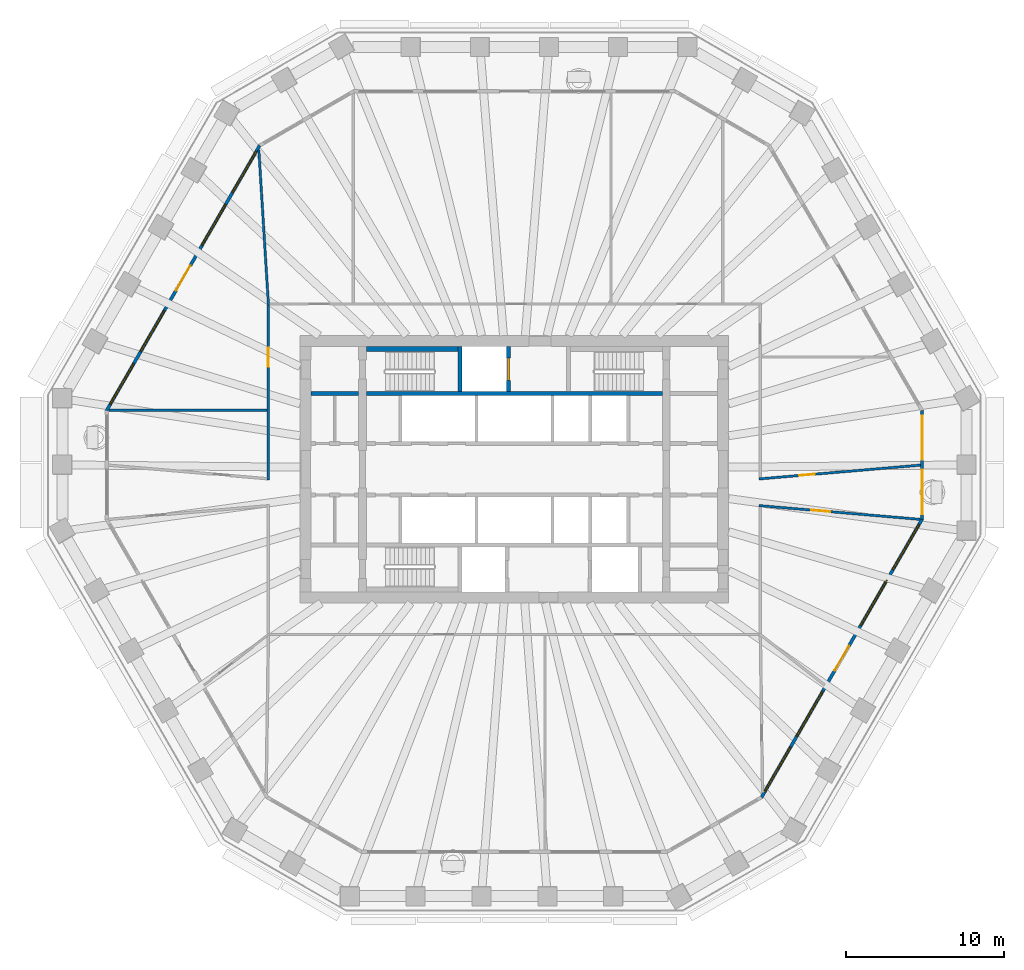
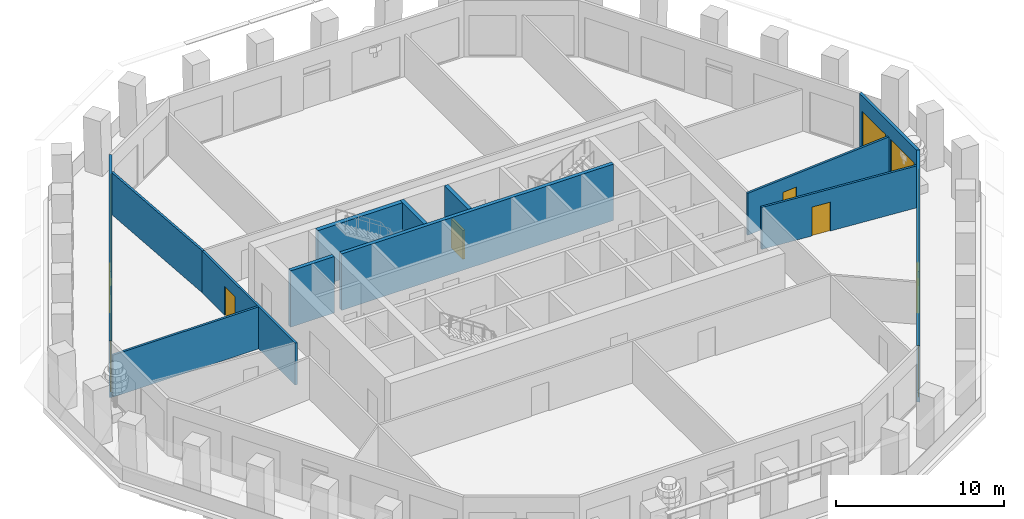
# One storey, part 6 of 12: 13 walls, 12 windows, 6 doors, 18 openings.
"""IFC4 building model written with IfcOpenShell, lengths in metres."""

from ifc_helpers import new_model, si_unit, direction, frame, frame_2d, origin, place, context, subcontext, project, spatial, polyline, rectangle, outline, extrude, material, layer, layer_set, type_object, element, fill, save


model = new_model("IFC4")

# Units and contexts
model_context = context("Model", 3, precision=1e-05, world=origin(), true_north=direction((0.0, 1.0)))
body_context = subcontext(model_context, "Body", "Model", "MODEL_VIEW")
ifc_project = project(units=[si_unit("LENGTHUNIT", "METRE"), si_unit("AREAUNIT", "SQUARE_METRE"), si_unit("VOLUMEUNIT", "CUBIC_METRE"), si_unit("PLANEANGLEUNIT", "RADIAN"), si_unit("MASSUNIT", "GRAM", prefix="KILO")], contexts=[model_context])

# Site, building, storey
site_placement = place(None, origin())
site = spatial("IfcSite", under=ifc_project, at=site_placement, CompositionType="ELEMENT")
building_placement = place(site_placement, origin())
building = spatial("IfcBuilding", under=site, at=building_placement, Name="Frailejon Research Tower", CompositionType="ELEMENT")
storey_placement = place(building_placement, frame((0.0, 0.0, 154.0)))
storey = spatial("IfcBuildingStorey", under=building, at=storey_placement, Name="L33", CompositionType="ELEMENT", Elevation=154.0)

# Wall, opening, door
ifc_material_1 = material(Name="Gypsum board and masonry partition", Category="masonry")
ifc_layer_1 = layer(ifc_material_1, 0.14990234375)
ifc_layer_set_1 = layer_set([ifc_layer_1], Name="Corridor wall EI 60, gypsum on steel studs 150")
wall_type_1 = type_object("IfcWallType", Name="Corridor wall EI 60, gypsum on steel studs 150", PredefinedType="PARTITIONING", material=ifc_layer_set_1)
wall_1_placement = place(storey_placement, frame((-15.550048828125, -0.680419921875, 0.0), z_axis=(0.0, 0.0, 1.0), x_axis=(0.0, 1.0, 0.0)))
wall_1 = element("IfcWall", 1, at=wall_1_placement, inside=storey, type_object=wall_type_1, Name="T:IW:L33:007", PredefinedType="PARTITIONING", context=body_context, shape_type="SweptSolid", body=[
    extrude(rectangle(XDim=11.055419921875, YDim=0.14990234375, at=frame_2d((5.52783203125, 0.0))), origin(), (0.0, 0.0, 1.0), 3.050048828125),
])
opening_1_placement = place(wall_1_placement, frame((7.17578125, 0.0, 0.0)))
opening_1 = element("IfcOpeningElement", 2, at=opening_1_placement, cuts=wall_1, Name="Opening D1726", PredefinedType="OPENING", context=body_context, shape_type="SweptSolid", body=[
    extrude(rectangle(XDim=1.199951171875, YDim=2.10009765625, at=frame_2d((0.60009765625, 1.050048828125))), frame((0.0, 0.0849609375, 0.0), z_axis=(0.0, -1.0, 0.0), x_axis=(1.0, 0.0, 0.0)), (0.0, 0.0, 1.0), 0.169921875),
])
ifc_material_2 = material(Name="Timber door leaf", Category="wood")
door_type_1 = type_object("IfcDoorType", Name="Door laboratory, timber, vision panel 1200", OperationType="NOTDEFINED", PredefinedType="DOOR", material=ifc_material_2)
door_1_placement = place(opening_1_placement, origin())
door_1 = element("IfcDoor", 3, at=door_1_placement, inside=storey, type_object=door_type_1, Name="D1726", OperationType="DOUBLE_DOOR_SINGLE_SWING", OverallHeight=2.10009765625, OverallWidth=1.199951171875, PredefinedType="DOOR", context=body_context, shape_type="SweptSolid", body=[
    extrude(rectangle(XDim=1.199951171875, YDim=2.10009765625, at=frame_2d((0.60009765625, 1.050048828125))), frame((0.0, 0.02490234375, 0.0), z_axis=(0.0, -1.0, 0.0), x_axis=(1.0, 0.0, 0.0)), (0.0, 0.0, 1.0), 0.050048828125),
])
fill(opening_1, door_1)

wall_2_placement = place(storey_placement, frame((15.475341796875, -0.61181640625, 0.0), z_axis=(0.0, 0.0, 1.0), x_axis=(0.996369173926, 0.085137942486, 0.0)))
wall_2 = element("IfcWall", 4, at=wall_2_placement, inside=storey, type_object=wall_type_1, Name="T:IW:L33:009", PredefinedType="PARTITIONING", context=body_context, shape_type="SweptSolid", body=[
    extrude(rectangle(XDim=10.234375, YDim=0.14990234375, at=frame_2d((5.1171875, 0.0))), origin(), (0.0, 0.0, 1.0), 3.050048828125),
])
opening_2_placement = place(wall_2_placement, frame((2.539794921875, 0.0, 0.0)))
opening_2 = element("IfcOpeningElement", 5, at=opening_2_placement, cuts=wall_2, Name="Opening D1721", PredefinedType="OPENING", context=body_context, shape_type="SweptSolid", body=[
    extrude(rectangle(XDim=1.0, YDim=2.10009765625, at=frame_2d((0.5, 1.050048828125))), frame((0.0, 0.0849609375, 0.0), z_axis=(0.0, -1.0, 0.0), x_axis=(1.0, 0.0, 0.0)), (0.0, 0.0, 1.0), 0.169921875),
])
ifc_material_3 = material(Name="Timber door leaf", Category="wood")
door_type_2 = type_object("IfcDoorType", Name="Door single leaf, timber, steel frame 1000", OperationType="NOTDEFINED", PredefinedType="DOOR", material=ifc_material_3)
door_2_placement = place(opening_2_placement, origin())
door_2 = element("IfcDoor", 6, at=door_2_placement, inside=storey, type_object=door_type_2, Name="D1721", OperationType="SINGLE_SWING_LEFT", OverallHeight=2.10009765625, OverallWidth=1.0, PredefinedType="DOOR", context=body_context, shape_type="SweptSolid", body=[
    extrude(rectangle(XDim=1.0, YDim=2.10009765625, at=frame_2d((0.5, 1.050048828125))), frame((0.0, 0.02490234375, 0.0), z_axis=(0.0, -1.0, 0.0), x_axis=(1.0, 0.0, 0.0)), (0.0, 0.0, 1.0), 0.050048828125),
])
fill(opening_2, door_2)

wall_3_placement = place(storey_placement, frame((15.475341796875, -2.299072265625, 0.0), z_axis=(0.0, 0.0, 1.0), x_axis=(0.996368986978, -0.085140130301, 0.0)))
wall_3 = element("IfcWall", 7, at=wall_3_placement, inside=storey, type_object=wall_type_1, Name="T:IW:L33:010", PredefinedType="PARTITIONING", context=body_context, shape_type="SweptSolid", body=[
    extrude(rectangle(XDim=10.214111328125, YDim=0.14990234375, at=frame_2d((5.10693359375, 0.0))), origin(), (0.0, 0.0, 1.0), 3.050048828125),
])
opening_3_placement = place(wall_3_placement, frame((3.30859375, 0.0, 0.0)))
opening_3 = element("IfcOpeningElement", 8, at=opening_3_placement, cuts=wall_3, Name="Opening D1733", PredefinedType="OPENING", context=body_context, shape_type="SweptSolid", body=[
    extrude(rectangle(XDim=1.199951171875, YDim=2.10009765625, at=frame_2d((0.60009765625, 1.050048828125))), frame((0.0, 0.0849609375, 0.0), z_axis=(0.0, -1.0, 0.0), x_axis=(1.0, 0.0, 0.0)), (0.0, 0.0, 1.0), 0.169921875),
])
door_3_placement = place(opening_3_placement, origin())
door_3 = element("IfcDoor", 9, at=door_3_placement, inside=storey, type_object=door_type_1, Name="D1733", OperationType="DOUBLE_DOOR_SINGLE_SWING", OverallHeight=2.10009765625, OverallWidth=1.199951171875, PredefinedType="DOOR", context=body_context, shape_type="SweptSolid", body=[
    extrude(rectangle(XDim=1.199951171875, YDim=2.10009765625, at=frame_2d((0.60009765625, 1.050048828125))), frame((0.0, 0.02490234375, 0.0), z_axis=(0.0, -1.0, 0.0), x_axis=(1.0, 0.0, 0.0)), (0.0, 0.0, 1.0), 0.050048828125),
])
fill(opening_3, door_3)

# Walls
ifc_material_4 = material(Name="Gypsum board and masonry partition", Category="masonry")
ifc_layer_2 = layer(ifc_material_4, 0.14990234375)
ifc_layer_set_2 = layer_set([ifc_layer_2], Name="Laboratory partition, blockwork 150")
wall_type_2 = type_object("IfcWallType", Name="Laboratory partition, blockwork 150", PredefinedType="PARTITIONING", material=ifc_layer_set_2)
wall_4_placement = place(storey_placement, frame((-16.1533203125, 20.1748046875, 0.0), z_axis=(0.0, 0.0, 1.0), x_axis=(0.061913874549, -0.99808149574, 0.0)))
element("IfcWall", 10, at=wall_4_placement, inside=storey, type_object=wall_type_2, Name="T:IW:L33:015", PredefinedType="PARTITIONING", context=body_context, shape_type="SweptSolid", body=[
    extrude(rectangle(XDim=9.818603515625, YDim=0.14990234375, at=frame_2d((4.9091796875, 0.0))), origin(), (0.0, 0.0, 1.0), 3.050048828125),
])
wall_5_placement = place(storey_placement, frame((-25.6416015625, 3.74072265625, 0.0), z_axis=(0.0, 0.0, 1.0), x_axis=(1.0, 0.0, 0.0)))
element("IfcWall", 11, at=wall_5_placement, inside=storey, type_object=wall_type_2, Name="T:IW:L33:016", PredefinedType="PARTITIONING", context=body_context, shape_type="SweptSolid", body=[
    extrude(rectangle(XDim=10.0166015625, YDim=0.14990234375, at=frame_2d((5.00830078125, 0.0))), origin(), (0.0, 0.0, 1.0), 3.050048828125),
])
ifc_material_5 = material(Name="Concrete C60/75", Category="concrete")
ifc_layer_3 = layer(ifc_material_5, 0.25)
ifc_layer_set_3 = layer_set([ifc_layer_3], Name="Shaft wall 250 C60/75")
wall_type_3 = type_object("IfcWallType", Name="Shaft wall 250 C60/75", PredefinedType="SOLIDWALL", material=ifc_layer_set_3)
wall_6_placement = place(storey_placement, frame((-12.85009765625, 4.77490234375, 0.0), z_axis=(0.0, 0.0, 1.0), x_axis=(1.0, 0.0, 0.0)))
element("IfcWall", 12, at=wall_6_placement, inside=storey, type_object=wall_type_3, Name="Shaft wall", PredefinedType="SOLIDWALL", context=body_context, shape_type="SweptSolid", body=[
    extrude(rectangle(XDim=3.0, YDim=0.25, at=frame_2d((1.5, 0.0))), origin(), (0.0, 0.0, 1.0), 4.10009765625),
])
wall_7_placement = place(storey_placement, frame((-9.35009765625, 4.77490234375, 0.0), z_axis=(0.0, 0.0, 1.0), x_axis=(1.0, 0.0, 0.0)))
element("IfcWall", 13, at=wall_7_placement, inside=storey, type_object=wall_type_3, Name="Shaft wall", PredefinedType="SOLIDWALL", context=body_context, shape_type="SweptSolid", body=[
    extrude(rectangle(XDim=18.7001953125, YDim=0.25, at=frame_2d((9.35009765625, 0.0))), origin(), (0.0, 0.0, 1.0), 4.10009765625),
])
wall_8_placement = place(storey_placement, frame((-3.425048828125, 4.89990234375, 0.0), z_axis=(0.0, 0.0, 1.0), x_axis=(0.0, 1.0, 0.0)))
element("IfcWall", 14, at=wall_8_placement, inside=storey, type_object=wall_type_3, Name="Shaft wall", PredefinedType="SOLIDWALL", context=body_context, shape_type="SweptSolid", body=[
    extrude(rectangle(XDim=2.85009765625, YDim=0.25, at=frame_2d((1.425048828125, 0.0))), origin(), (0.0, 0.0, 1.0), 4.10009765625),
])

# Wall, opening, door
wall_9_placement = place(storey_placement, frame((-0.375, 4.89990234375, 0.0), z_axis=(0.0, 0.0, 1.0), x_axis=(0.0, 1.0, 0.0)))
wall_9 = element("IfcWall", 15, at=wall_9_placement, inside=storey, type_object=wall_type_3, Name="Shaft wall", PredefinedType="SOLIDWALL", context=body_context, shape_type="SweptSolid", body=[
    extrude(rectangle(XDim=2.85009765625, YDim=0.25, at=frame_2d((1.425048828125, 0.0))), origin(), (0.0, 0.0, 1.0), 4.10009765625),
])
opening_4_placement = place(wall_9_placement, frame((0.72509765625, 0.0, 0.0)))
opening_4 = element("IfcOpeningElement", 16, at=opening_4_placement, cuts=wall_9, Name="Opening LD2", PredefinedType="OPENING", context=body_context, shape_type="SweptSolid", body=[
    extrude(rectangle(XDim=1.39990234375, YDim=2.10009765625, at=frame_2d((0.699951171875, 1.050048828125))), frame((0.0, 0.135009765625, 0.0), z_axis=(0.0, -1.0, 0.0), x_axis=(1.0, 0.0, 0.0)), (0.0, 0.0, 1.0), 0.27001953125),
])
ifc_material_6 = material(Name="Stainless steel", Category="steel")
door_type_3 = type_object("IfcDoorType", Name="Goods landing door", OperationType="DOUBLE_DOOR_SLIDING", PredefinedType="DOOR", material=ifc_material_6)
door_4_placement = place(opening_4_placement, origin())
door_4 = element("IfcDoor", 17, at=door_4_placement, inside=storey, type_object=door_type_3, Name="Lift landing door", OperationType="DOUBLE_DOOR_SLIDING", OverallHeight=2.10009765625, OverallWidth=1.39990234375, PredefinedType="DOOR", context=body_context, shape_type="SweptSolid", body=[
    extrude(rectangle(XDim=1.39990234375, YDim=2.10009765625, at=frame_2d((0.699951171875, 1.050048828125))), frame((0.0, 0.074951171875, 0.0), z_axis=(0.0, -1.0, 0.0), x_axis=(1.0, 0.0, 0.0)), (0.0, 0.0, 1.0), 0.14990234375),
])
fill(opening_4, door_4)

# Wall
ifc_material_7 = material(Name="Concrete C60/75", Category="concrete")
ifc_layer_4 = layer(ifc_material_7, 0.300048828125)
ifc_layer_set_4 = layer_set([ifc_layer_4], Name="Shaft wall 300 C60/75")
wall_type_4 = type_object("IfcWallType", Name="Shaft wall 300 C60/75", PredefinedType="SOLIDWALL", material=ifc_layer_set_4)
wall_10_placement = place(storey_placement, frame((-9.35009765625, 7.60009765625, 0.0), z_axis=(0.0, 0.0, 1.0), x_axis=(1.0, 0.0, 0.0)))
element("IfcWall", 18, at=wall_10_placement, inside=storey, type_object=wall_type_4, Name="Shaft wall", PredefinedType="SOLIDWALL", context=body_context, shape_type="SweptSolid", body=[
    extrude(rectangle(XDim=5.800048828125, YDim=0.300048828125, at=frame_2d((2.89990234375, 0.0))), origin(), (0.0, 0.0, 1.0), 4.10009765625),
])

# Wall, openings, windows
ifc_material_8 = material(Name="Concrete C40/50 precast window wall panel", Category="concrete")
ifc_layer_5 = layer(ifc_material_8, 0.199951171875)
ifc_layer_set_5 = layer_set([ifc_layer_5], Name="Window wall 200")
wall_type_5 = type_object("IfcWallType", Name="Window wall 200", PredefinedType="SOLIDWALL", material=ifc_layer_set_5)
wall_11_placement = place(storey_placement, frame((25.7724609375, -3.160888671875, 0.0), z_axis=(0.0, 0.0, 1.0), x_axis=(0.0, 1.0, 0.0)))
wall_11 = element("IfcWall", 19, at=wall_11_placement, inside=storey, type_object=wall_type_5, Name="Exterior wall L33", PredefinedType="SOLIDWALL", context=body_context, shape_type="SweptSolid", body=[
    extrude(outline(polyline([(-0.02685546875, -0.10009765625), (1.1279296875, -0.10009765625), (2.28271484375, -0.10009765625), (3.4375, -0.10009765625), (4.592041015625, -0.10009765625), (5.746826171875, -0.10009765625), (6.901611328125, -0.10009765625), (6.847900390625, 0.10009765625), (5.7109375, 0.10009765625), (4.57421875, 0.10009765625), (3.4375, 0.10009765625), (2.300537109375, 0.10009765625), (1.16357421875, 0.10009765625), (0.02685546875, 0.10009765625), (-0.02685546875, -0.10009765625)])), origin(), (0.0, 0.0, 1.0), 4.10009765625),
])
opening_5_placement = place(wall_11_placement, frame((0.318603515625, 0.0, 0.10009765625)))
opening_5 = element("IfcOpeningElement", 20, at=opening_5_placement, cuts=wall_11, Name="Opening W3", PredefinedType="OPENING", context=body_context, shape_type="SweptSolid", body=[
    extrude(rectangle(XDim=2.800048828125, YDim=2.89990234375, at=frame_2d((1.39990234375, 1.449951171875))), frame((0.0, 0.10986328125, 0.0), z_axis=(0.0, -1.0, 0.0), x_axis=(1.0, 0.0, 0.0)), (0.0, 0.0, 1.0), 0.219970703125),
])
opening_6_placement = place(wall_11_placement, frame((3.756103515625, 0.0, 0.10009765625)))
opening_6 = element("IfcOpeningElement", 21, at=opening_6_placement, cuts=wall_11, Name="Opening W3", PredefinedType="OPENING", context=body_context, shape_type="SweptSolid", body=[
    extrude(rectangle(XDim=2.800048828125, YDim=2.89990234375, at=frame_2d((1.39990234375, 1.449951171875))), frame((0.0, 0.10986328125, 0.0), z_axis=(0.0, -1.0, 0.0), x_axis=(1.0, 0.0, 0.0)), (0.0, 0.0, 1.0), 0.219970703125),
])
ifc_material_9 = material(Name="Aluminium framed double glazing", Category="aluminium")
window_type_1 = type_object("IfcWindowType", Name="Window 2800x2900", PartitioningType="SINGLE_PANEL", PredefinedType="WINDOW", material=ifc_material_9)
window_1_placement = place(opening_5_placement, origin())
window_1 = element("IfcWindow", 22, at=window_1_placement, inside=storey, type_object=window_type_1, Name="Window L33", OverallHeight=2.89990234375, OverallWidth=2.800048828125, PartitioningType="SINGLE_PANEL", PredefinedType="WINDOW", context=body_context, shape_type="SweptSolid", body=[
    extrude(rectangle(XDim=2.800048828125, YDim=2.89990234375, at=frame_2d((1.39990234375, 1.449951171875))), frame((0.0, 0.030029296875, 0.0), z_axis=(0.0, -1.0, 0.0), x_axis=(1.0, 0.0, 0.0)), (0.0, 0.0, 1.0), 0.06005859375),
])
fill(opening_5, window_1)
window_2_placement = place(opening_6_placement, origin())
window_2 = element("IfcWindow", 23, at=window_2_placement, inside=storey, type_object=window_type_1, Name="Window L33", OverallHeight=2.89990234375, OverallWidth=2.800048828125, PartitioningType="SINGLE_PANEL", PredefinedType="WINDOW", context=body_context, shape_type="SweptSolid", body=[
    extrude(rectangle(XDim=2.800048828125, YDim=2.89990234375, at=frame_2d((1.39990234375, 1.449951171875))), frame((0.0, 0.030029296875, 0.0), z_axis=(0.0, -1.0, 0.0), x_axis=(1.0, 0.0, 0.0)), (0.0, 0.0, 1.0), 0.06005859375),
])
fill(opening_6, window_2)

# Wall, openings, door, windows
wall_12_placement = place(storey_placement, frame((-16.1025390625, 20.462646484375, 0.0), z_axis=(0.0, 0.0, 1.0), x_axis=(-0.500000373815, -0.866025187962, 0.0)))
wall_12 = element("IfcWall", 24, at=wall_12_placement, inside=storey, type_object=wall_type_5, Name="Exterior wall L33", PredefinedType="SOLIDWALL", context=body_context, shape_type="SweptSolid", body=[
    extrude(outline(polyline([(-0.02685546875, -0.10009765625), (0.993896484375, -0.10009765625), (2.0146484375, -0.10009765625), (3.035400390625, -0.10009765625), (4.055908203125, -0.10009765625), (5.07666015625, -0.10009765625), (6.097412109375, -0.10009765625), (7.1181640625, -0.10009765625), (8.138916015625, -0.10009765625), (9.15966796875, -0.10009765625), (10.18017578125, -0.10009765625), (11.200927734375, -0.10009765625), (12.2216796875, -0.10009765625), (13.242431640625, -0.10009765625), (14.26318359375, -0.10009765625), (15.283935546875, -0.10009765625), (16.304443359375, -0.10009765625), (17.3251953125, -0.10009765625), (18.345947265625, -0.10009765625), (19.36669921875, -0.10009765625), (19.31298828125, 0.10009765625), (18.2978515625, 0.10009765625), (17.282958984375, 0.10009765625), (16.267822265625, 0.10009765625), (15.252685546875, 0.10009765625), (14.23779296875, 0.10009765625), (13.22265625, 0.10009765625), (12.20751953125, 0.10009765625), (11.192626953125, 0.10009765625), (10.177490234375, 0.10009765625), (9.162353515625, 0.10009765625), (8.147216796875, 0.10009765625), (7.13232421875, 0.10009765625), (6.1171875, 0.10009765625), (5.10205078125, 0.10009765625), (4.087158203125, 0.10009765625), (3.072021484375, 0.10009765625), (2.056884765625, 0.10009765625), (1.0419921875, 0.10009765625), (0.02685546875, 0.10009765625), (-0.02685546875, -0.10009765625)])), origin(), (0.0, 0.0, 1.0), 4.10009765625),
])
opening_7_placement = place(wall_12_placement, frame((0.43408203125, 0.0, 0.10009765625)))
opening_7 = element("IfcOpeningElement", 25, at=opening_7_placement, cuts=wall_12, Name="Opening W4", PredefinedType="OPENING", context=body_context, shape_type="SweptSolid", body=[
    extrude(rectangle(XDim=3.0, YDim=2.89990234375, at=frame_2d((1.5, 1.449951171875))), frame((0.0, 0.10986328125, 0.0), z_axis=(0.0, -1.0, 0.0), x_axis=(1.0, 0.0, 0.0)), (0.0, 0.0, 1.0), 0.219970703125),
])
opening_8_placement = place(wall_12_placement, frame((4.302001953125, 0.0, 0.10009765625)))
opening_8 = element("IfcOpeningElement", 26, at=opening_8_placement, cuts=wall_12, Name="Opening W4", PredefinedType="OPENING", context=body_context, shape_type="SweptSolid", body=[
    extrude(rectangle(XDim=3.0, YDim=2.89990234375, at=frame_2d((1.5, 1.449951171875))), frame((0.0, 0.10986328125, 0.0), z_axis=(0.0, -1.0, 0.0), x_axis=(1.0, 0.0, 0.0)), (0.0, 0.0, 1.0), 0.219970703125),
])
opening_9_placement = place(wall_12_placement, frame((8.77001953125, 0.0, 0.0)))
opening_9 = element("IfcOpeningElement", 27, at=opening_9_placement, cuts=wall_12, Name="Opening LG33-3", PredefinedType="OPENING", context=body_context, shape_type="SweptSolid", body=[
    extrude(rectangle(XDim=1.800048828125, YDim=2.39990234375, at=frame_2d((0.89990234375, 1.199951171875))), frame((0.0, 0.10986328125, 0.0), z_axis=(0.0, -1.0, 0.0), x_axis=(1.0, 0.0, 0.0)), (0.0, 0.0, 1.0), 0.219970703125),
])
opening_10_placement = place(wall_12_placement, frame((8.77001953125, 0.0, 2.550048828125)))
opening_10 = element("IfcOpeningElement", 28, at=opening_10_placement, cuts=wall_12, Name="Opening W1", PredefinedType="OPENING", context=body_context, shape_type="SweptSolid", body=[
    extrude(rectangle(XDim=1.800048828125, YDim=0.449951171875, at=frame_2d((0.89990234375, 0.22509765625))), frame((0.0, 0.10986328125, 0.0), z_axis=(0.0, -1.0, 0.0), x_axis=(1.0, 0.0, 0.0)), (0.0, 0.0, 1.0), 0.219970703125),
])
opening_11_placement = place(wall_12_placement, frame((12.037841796875, 0.0, 0.10009765625)))
opening_11 = element("IfcOpeningElement", 29, at=opening_11_placement, cuts=wall_12, Name="Opening W4", PredefinedType="OPENING", context=body_context, shape_type="SweptSolid", body=[
    extrude(rectangle(XDim=3.0, YDim=2.89990234375, at=frame_2d((1.5, 1.449951171875))), frame((0.0, 0.10986328125, 0.0), z_axis=(0.0, -1.0, 0.0), x_axis=(1.0, 0.0, 0.0)), (0.0, 0.0, 1.0), 0.219970703125),
])
opening_12_placement = place(wall_12_placement, frame((15.906005859375, 0.0, 0.10009765625)))
opening_12 = element("IfcOpeningElement", 30, at=opening_12_placement, cuts=wall_12, Name="Opening W4", PredefinedType="OPENING", context=body_context, shape_type="SweptSolid", body=[
    extrude(rectangle(XDim=3.0, YDim=2.89990234375, at=frame_2d((1.5, 1.449951171875))), frame((0.0, 0.10986328125, 0.0), z_axis=(0.0, -1.0, 0.0), x_axis=(1.0, 0.0, 0.0)), (0.0, 0.0, 1.0), 0.219970703125),
])
ifc_material_10 = material(Name="Aluminium framed glazed door leaf", Category="aluminium")
door_type_4 = type_object("IfcDoorType", Name="Loggia door 1800x2400", OperationType="DOUBLE_DOOR_SINGLE_SWING", PredefinedType="DOOR", material=ifc_material_10)
door_5_placement = place(opening_9_placement, origin())
door_5 = element("IfcDoor", 31, at=door_5_placement, inside=storey, type_object=door_type_4, Name="Door LG33-3", OperationType="DOUBLE_DOOR_SINGLE_SWING", OverallHeight=2.39990234375, OverallWidth=1.800048828125, PredefinedType="DOOR", context=body_context, shape_type="SweptSolid", body=[
    extrude(rectangle(XDim=1.800048828125, YDim=2.39990234375, at=frame_2d((0.89990234375, 1.199951171875))), frame((0.0, 0.02490234375, 0.0), z_axis=(0.0, -1.0, 0.0), x_axis=(1.0, 0.0, 0.0)), (0.0, 0.0, 1.0), 0.050048828125),
])
fill(opening_9, door_5)
ifc_material_11 = material(Name="Aluminium framed double glazing", Category="aluminium")
window_type_2 = type_object("IfcWindowType", Name="Window 1800x450", PartitioningType="SINGLE_PANEL", PredefinedType="WINDOW", material=ifc_material_11)
window_3_placement = place(opening_10_placement, origin())
window_3 = element("IfcWindow", 32, at=window_3_placement, inside=storey, type_object=window_type_2, Name="Window L33", OverallHeight=0.449951171875, OverallWidth=1.800048828125, PartitioningType="SINGLE_PANEL", PredefinedType="WINDOW", context=body_context, shape_type="SweptSolid", body=[
    extrude(rectangle(XDim=1.800048828125, YDim=0.449951171875, at=frame_2d((0.89990234375, 0.22509765625))), frame((0.0, 0.030029296875, 0.0), z_axis=(0.0, -1.0, 0.0), x_axis=(1.0, 0.0, 0.0)), (0.0, 0.0, 1.0), 0.06005859375),
])
fill(opening_10, window_3)
ifc_material_12 = material(Name="Aluminium framed double glazing", Category="aluminium")
window_type_3 = type_object("IfcWindowType", Name="Window 3000x2900", PartitioningType="SINGLE_PANEL", PredefinedType="WINDOW", material=ifc_material_12)
window_4_placement = place(opening_7_placement, origin())
window_4 = element("IfcWindow", 33, at=window_4_placement, inside=storey, type_object=window_type_3, Name="Window L33", OverallHeight=2.89990234375, OverallWidth=3.0, PartitioningType="SINGLE_PANEL", PredefinedType="WINDOW", context=body_context, shape_type="SweptSolid", body=[
    extrude(rectangle(XDim=3.0, YDim=2.89990234375, at=frame_2d((1.5, 1.449951171875))), frame((0.0, 0.030029296875, 0.0), z_axis=(0.0, -1.0, 0.0), x_axis=(1.0, 0.0, 0.0)), (0.0, 0.0, 1.0), 0.06005859375),
])
fill(opening_7, window_4)
window_5_placement = place(opening_8_placement, origin())
window_5 = element("IfcWindow", 34, at=window_5_placement, inside=storey, type_object=window_type_3, Name="Window L33", OverallHeight=2.89990234375, OverallWidth=3.0, PartitioningType="SINGLE_PANEL", PredefinedType="WINDOW", context=body_context, shape_type="SweptSolid", body=[
    extrude(rectangle(XDim=3.0, YDim=2.89990234375, at=frame_2d((1.5, 1.449951171875))), frame((0.0, 0.030029296875, 0.0), z_axis=(0.0, -1.0, 0.0), x_axis=(1.0, 0.0, 0.0)), (0.0, 0.0, 1.0), 0.06005859375),
])
fill(opening_8, window_5)
window_6_placement = place(opening_11_placement, origin())
window_6 = element("IfcWindow", 35, at=window_6_placement, inside=storey, type_object=window_type_3, Name="Window L33", OverallHeight=2.89990234375, OverallWidth=3.0, PartitioningType="SINGLE_PANEL", PredefinedType="WINDOW", context=body_context, shape_type="SweptSolid", body=[
    extrude(rectangle(XDim=3.0, YDim=2.89990234375, at=frame_2d((1.5, 1.449951171875))), frame((0.0, 0.030029296875, 0.0), z_axis=(0.0, -1.0, 0.0), x_axis=(1.0, 0.0, 0.0)), (0.0, 0.0, 1.0), 0.06005859375),
])
fill(opening_11, window_6)
window_7_placement = place(opening_12_placement, origin())
window_7 = element("IfcWindow", 36, at=window_7_placement, inside=storey, type_object=window_type_3, Name="Window L33", OverallHeight=2.89990234375, OverallWidth=3.0, PartitioningType="SINGLE_PANEL", PredefinedType="WINDOW", context=body_context, shape_type="SweptSolid", body=[
    extrude(rectangle(XDim=3.0, YDim=2.89990234375, at=frame_2d((1.5, 1.449951171875))), frame((0.0, 0.030029296875, 0.0), z_axis=(0.0, -1.0, 0.0), x_axis=(1.0, 0.0, 0.0)), (0.0, 0.0, 1.0), 0.06005859375),
])
fill(opening_12, window_7)

wall_13_placement = place(storey_placement, frame((15.62353515625, -20.7392578125, 0.0), z_axis=(0.0, 0.0, 1.0), x_axis=(0.500001833672, 0.866024345111, 0.0)))
wall_13 = element("IfcWall", 37, at=wall_13_placement, inside=storey, type_object=wall_type_5, Name="Exterior wall L33", PredefinedType="SOLIDWALL", context=body_context, shape_type="SweptSolid", body=[
    extrude(outline(polyline([(-0.02685546875, -0.10009765625), (0.99072265625, -0.10009765625), (2.00830078125, -0.10009765625), (3.02587890625, -0.10009765625), (4.04345703125, -0.10009765625), (5.06103515625, -0.10009765625), (6.07861328125, -0.10009765625), (7.09619140625, -0.10009765625), (8.11376953125, -0.10009765625), (9.13134765625, -0.10009765625), (10.14892578125, -0.10009765625), (11.16650390625, -0.10009765625), (12.18408203125, -0.10009765625), (13.20166015625, -0.10009765625), (14.21923828125, -0.10009765625), (15.23681640625, -0.10009765625), (16.25439453125, -0.10009765625), (17.27197265625, -0.10009765625), (18.28955078125, -0.10009765625), (19.30712890625, -0.10009765625), (20.32470703125, -0.10009765625), (20.27099609375, 0.10009765625), (19.2587890625, 0.10009765625), (18.24658203125, 0.10009765625), (17.234375, 0.10009765625), (16.22216796875, 0.10009765625), (15.2099609375, 0.10009765625), (14.19775390625, 0.10009765625), (13.185546875, 0.10009765625), (12.17333984375, 0.10009765625), (11.1611328125, 0.10009765625), (10.14892578125, 0.10009765625), (9.13671875, 0.10009765625), (8.12451171875, 0.10009765625), (7.1123046875, 0.10009765625), (6.10009765625, 0.10009765625), (5.087890625, 0.10009765625), (4.07568359375, 0.10009765625), (3.0634765625, 0.10009765625), (2.05126953125, 0.10009765625), (1.0390625, 0.10009765625), (0.02685546875, 0.10009765625), (-0.02685546875, -0.10009765625)])), origin(), (0.0, 0.0, 1.0), 4.10009765625),
])
opening_13_placement = place(wall_13_placement, frame((0.3798828125, 0.0, 0.10009765625)))
opening_13 = element("IfcOpeningElement", 38, at=opening_13_placement, cuts=wall_13, Name="Opening W5", PredefinedType="OPENING", context=body_context, shape_type="SweptSolid", body=[
    extrude(rectangle(XDim=3.300048828125, YDim=2.89990234375, at=frame_2d((1.64990234375, 1.449951171875))), frame((0.0, 0.10986328125, 0.0), z_axis=(0.0, -1.0, 0.0), x_axis=(1.0, 0.0, 0.0)), (0.0, 0.0, 1.0), 0.219970703125),
])
opening_14_placement = place(wall_13_placement, frame((4.439453125, 0.0, 0.10009765625)))
opening_14 = element("IfcOpeningElement", 39, at=opening_14_placement, cuts=wall_13, Name="Opening W5", PredefinedType="OPENING", context=body_context, shape_type="SweptSolid", body=[
    extrude(rectangle(XDim=3.300048828125, YDim=2.89990234375, at=frame_2d((1.64990234375, 1.449951171875))), frame((0.0, 0.10986328125, 0.0), z_axis=(0.0, -1.0, 0.0), x_axis=(1.0, 0.0, 0.0)), (0.0, 0.0, 1.0), 0.219970703125),
])
opening_15_placement = place(wall_13_placement, frame((9.248779296875, 0.0, 0.0)))
opening_15 = element("IfcOpeningElement", 40, at=opening_15_placement, cuts=wall_13, Name="Opening LG33-6", PredefinedType="OPENING", context=body_context, shape_type="SweptSolid", body=[
    extrude(rectangle(XDim=1.800048828125, YDim=2.39990234375, at=frame_2d((0.89990234375, 1.199951171875))), frame((0.0, 0.10986328125, 0.0), z_axis=(0.0, -1.0, 0.0), x_axis=(1.0, 0.0, 0.0)), (0.0, 0.0, 1.0), 0.219970703125),
])
opening_16_placement = place(wall_13_placement, frame((9.248779296875, 0.0, 2.550048828125)))
opening_16 = element("IfcOpeningElement", 41, at=opening_16_placement, cuts=wall_13, Name="Opening W1", PredefinedType="OPENING", context=body_context, shape_type="SweptSolid", body=[
    extrude(rectangle(XDim=1.800048828125, YDim=0.449951171875, at=frame_2d((0.89990234375, 0.22509765625))), frame((0.0, 0.10986328125, 0.0), z_axis=(0.0, -1.0, 0.0), x_axis=(1.0, 0.0, 0.0)), (0.0, 0.0, 1.0), 0.219970703125),
])
opening_17_placement = place(wall_13_placement, frame((12.55859375, 0.0, 0.10009765625)))
opening_17 = element("IfcOpeningElement", 42, at=opening_17_placement, cuts=wall_13, Name="Opening W5", PredefinedType="OPENING", context=body_context, shape_type="SweptSolid", body=[
    extrude(rectangle(XDim=3.300048828125, YDim=2.89990234375, at=frame_2d((1.64990234375, 1.449951171875))), frame((0.0, 0.10986328125, 0.0), z_axis=(0.0, -1.0, 0.0), x_axis=(1.0, 0.0, 0.0)), (0.0, 0.0, 1.0), 0.219970703125),
])
opening_18_placement = place(wall_13_placement, frame((16.6181640625, 0.0, 0.10009765625)))
opening_18 = element("IfcOpeningElement", 43, at=opening_18_placement, cuts=wall_13, Name="Opening W5", PredefinedType="OPENING", context=body_context, shape_type="SweptSolid", body=[
    extrude(rectangle(XDim=3.300048828125, YDim=2.89990234375, at=frame_2d((1.64990234375, 1.449951171875))), frame((0.0, 0.10986328125, 0.0), z_axis=(0.0, -1.0, 0.0), x_axis=(1.0, 0.0, 0.0)), (0.0, 0.0, 1.0), 0.219970703125),
])
door_6_placement = place(opening_15_placement, origin())
door_6 = element("IfcDoor", 44, at=door_6_placement, inside=storey, type_object=door_type_4, Name="Door LG33-6", OperationType="DOUBLE_DOOR_SINGLE_SWING", OverallHeight=2.39990234375, OverallWidth=1.800048828125, PredefinedType="DOOR", context=body_context, shape_type="SweptSolid", body=[
    extrude(rectangle(XDim=1.800048828125, YDim=2.39990234375, at=frame_2d((0.89990234375, 1.199951171875))), frame((0.0, 0.02490234375, 0.0), z_axis=(0.0, -1.0, 0.0), x_axis=(1.0, 0.0, 0.0)), (0.0, 0.0, 1.0), 0.050048828125),
])
fill(opening_15, door_6)
window_8_placement = place(opening_16_placement, origin())
window_8 = element("IfcWindow", 45, at=window_8_placement, inside=storey, type_object=window_type_2, Name="Window L33", OverallHeight=0.449951171875, OverallWidth=1.800048828125, PartitioningType="SINGLE_PANEL", PredefinedType="WINDOW", context=body_context, shape_type="SweptSolid", body=[
    extrude(rectangle(XDim=1.800048828125, YDim=0.449951171875, at=frame_2d((0.89990234375, 0.22509765625))), frame((0.0, 0.030029296875, 0.0), z_axis=(0.0, -1.0, 0.0), x_axis=(1.0, 0.0, 0.0)), (0.0, 0.0, 1.0), 0.06005859375),
])
fill(opening_16, window_8)
ifc_material_13 = material(Name="Aluminium framed double glazing", Category="aluminium")
window_type_4 = type_object("IfcWindowType", Name="Window 3300x2900", PartitioningType="SINGLE_PANEL", PredefinedType="WINDOW", material=ifc_material_13)
window_9_placement = place(opening_13_placement, origin())
window_9 = element("IfcWindow", 46, at=window_9_placement, inside=storey, type_object=window_type_4, Name="Window L33", OverallHeight=2.89990234375, OverallWidth=3.300048828125, PartitioningType="SINGLE_PANEL", PredefinedType="WINDOW", context=body_context, shape_type="SweptSolid", body=[
    extrude(rectangle(XDim=3.300048828125, YDim=2.89990234375, at=frame_2d((1.64990234375, 1.449951171875))), frame((0.0, 0.030029296875, 0.0), z_axis=(0.0, -1.0, 0.0), x_axis=(1.0, 0.0, 0.0)), (0.0, 0.0, 1.0), 0.06005859375),
])
fill(opening_13, window_9)
window_10_placement = place(opening_14_placement, origin())
window_10 = element("IfcWindow", 47, at=window_10_placement, inside=storey, type_object=window_type_4, Name="Window L33", OverallHeight=2.89990234375, OverallWidth=3.300048828125, PartitioningType="SINGLE_PANEL", PredefinedType="WINDOW", context=body_context, shape_type="SweptSolid", body=[
    extrude(rectangle(XDim=3.300048828125, YDim=2.89990234375, at=frame_2d((1.64990234375, 1.449951171875))), frame((0.0, 0.030029296875, 0.0), z_axis=(0.0, -1.0, 0.0), x_axis=(1.0, 0.0, 0.0)), (0.0, 0.0, 1.0), 0.06005859375),
])
fill(opening_14, window_10)
window_11_placement = place(opening_17_placement, origin())
window_11 = element("IfcWindow", 48, at=window_11_placement, inside=storey, type_object=window_type_4, Name="Window L33", OverallHeight=2.89990234375, OverallWidth=3.300048828125, PartitioningType="SINGLE_PANEL", PredefinedType="WINDOW", context=body_context, shape_type="SweptSolid", body=[
    extrude(rectangle(XDim=3.300048828125, YDim=2.89990234375, at=frame_2d((1.64990234375, 1.449951171875))), frame((0.0, 0.030029296875, 0.0), z_axis=(0.0, -1.0, 0.0), x_axis=(1.0, 0.0, 0.0)), (0.0, 0.0, 1.0), 0.06005859375),
])
fill(opening_17, window_11)
window_12_placement = place(opening_18_placement, origin())
window_12 = element("IfcWindow", 49, at=window_12_placement, inside=storey, type_object=window_type_4, Name="Window L33", OverallHeight=2.89990234375, OverallWidth=3.300048828125, PartitioningType="SINGLE_PANEL", PredefinedType="WINDOW", context=body_context, shape_type="SweptSolid", body=[
    extrude(rectangle(XDim=3.300048828125, YDim=2.89990234375, at=frame_2d((1.64990234375, 1.449951171875))), frame((0.0, 0.030029296875, 0.0), z_axis=(0.0, -1.0, 0.0), x_axis=(1.0, 0.0, 0.0)), (0.0, 0.0, 1.0), 0.06005859375),
])
fill(opening_18, window_12)

save(model, "model.ifc")
